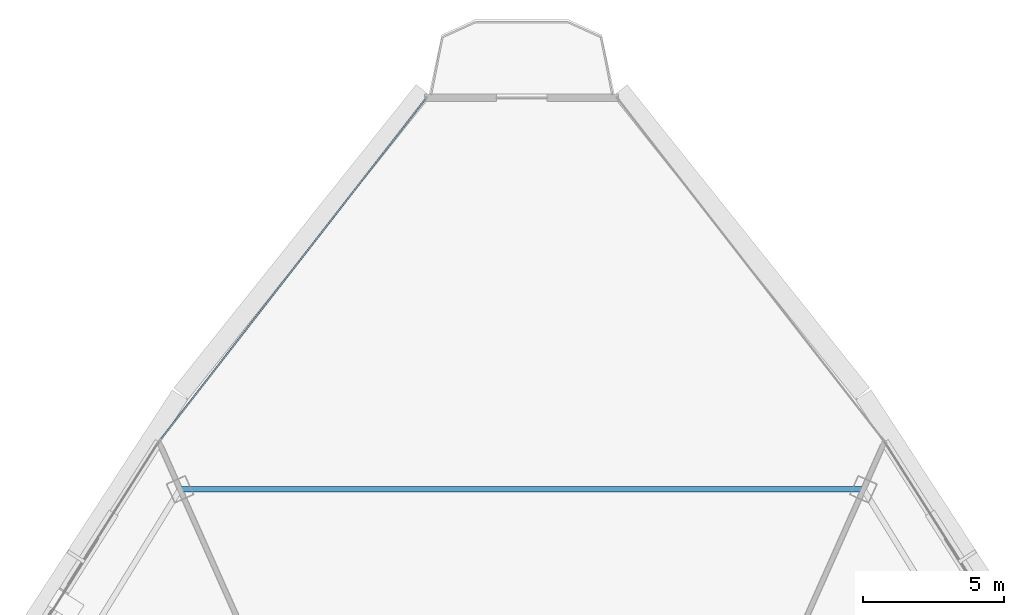
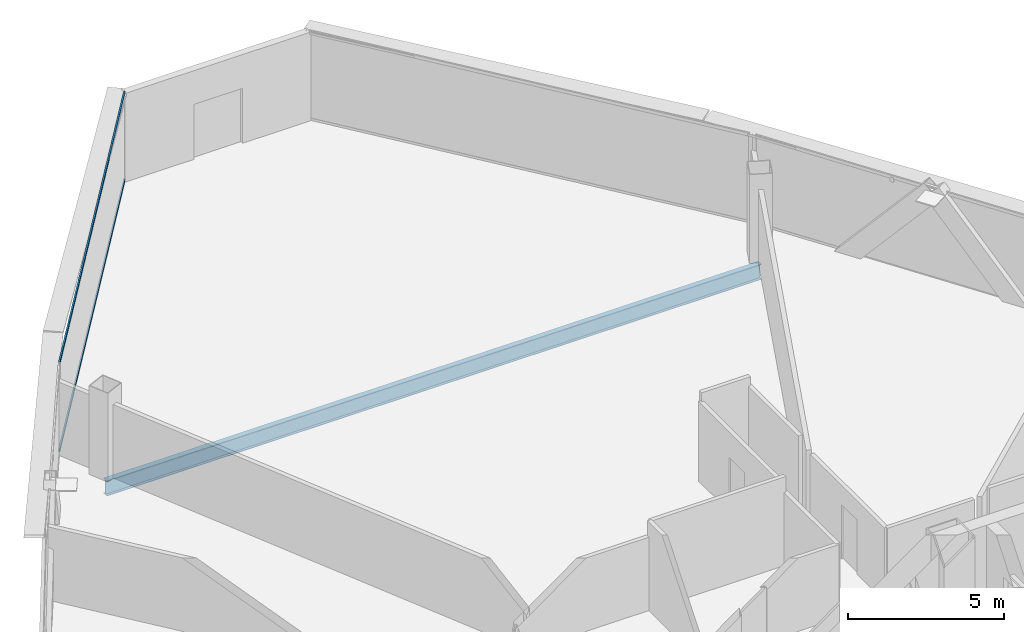
# One storey, part 21 of 33: 2 members, 1 beam, 1 element without a shape of its own.
"""IFC4 building model written with IfcOpenShell, lengths in metres."""

from ifc_helpers import new_model, si_unit, direction, frame, origin, origin_2d, place, context, subcontext, project, spatial, hollow_rectangle, i_section, extrude, source, transform, mapped, material, layer, layer_set, material_profile, profile_set, type_object, element, aggregate, save


model = new_model("IFC4")

# Units and contexts
model_context = context("Model", 3, precision=1e-05, world=origin(), true_north=direction((0.0, 1.0)))
body_context = subcontext(model_context, "Body", "Model", "MODEL_VIEW")
ifc_project = project(units=[si_unit("LENGTHUNIT", "METRE"), si_unit("AREAUNIT", "SQUARE_METRE"), si_unit("VOLUMEUNIT", "CUBIC_METRE"), si_unit("PLANEANGLEUNIT", "RADIAN"), si_unit("MASSUNIT", "GRAM", prefix="KILO"), si_unit("THERMODYNAMICTEMPERATUREUNIT", "KELVIN"), si_unit("POWERUNIT", "WATT")], contexts=[model_context])

# Site, building, storey
site_placement = place(None, origin())
site = spatial("IfcSite", under=ifc_project, at=site_placement, CompositionType="ELEMENT")
building_placement = place(site_placement, origin())
building = spatial("IfcBuilding", under=site, at=building_placement, Name="Yunzhuo Pagoda Commons", CompositionType="ELEMENT")
storey_placement = place(building_placement, frame((0.0, 0.0, 307.39990234375)))
storey = spatial("IfcBuildingStorey", under=building, at=storey_placement, Name="L77", CompositionType="ELEMENT", Elevation=307.39990234375)

# Beam
ifc_material_1 = material(Name="Structural steel Q355B", Category="steel")
ifc_material_profile_1 = material_profile(ifc_material_1, i_section(OverallWidth=0.199951171875, OverallDepth=0.60009765625, WebThickness=0.010986328125, FlangeThickness=0.01708984375, at=origin_2d()), Name="Structural steel Q355B")
ifc_profile_set_1 = profile_set([ifc_material_profile_1], Name="Structural steel Q355B")
beam_type = type_object("IfcBeamType", Name="B-RG3 Beam HN 600x200x11x17", PredefinedType="BEAM", material=ifc_profile_set_1)
shared_shape_1 = source(origin(), body_context, "Body", "SweptSolid", [
    extrude(i_section(OverallWidth=0.199951171875, OverallDepth=0.60009765625, WebThickness=0.010986328125, FlangeThickness=0.01708984375, at=origin_2d()), origin(), (0.0, 0.0, 1.0), 24.228515625),
])
beam_placement = place(storey_placement, frame((60.1142578125, 60.9091796875, -0.559814453125), z_axis=(-1.0, 0.0, 0.0), x_axis=(0.0, -1.0, 0.0)))
element("IfcBeam", 1, at=beam_placement, inside=storey, type_object=beam_type, Name="L77 column-ring beam 8", PredefinedType="BEAM", context=body_context, shape_type="MappedRepresentation", body=[
    mapped(shared_shape_1, transform((0.0, 0.0, 0.0), scale=1.0)),
])

# Curtain wall, members
ifc_material_2 = material(Name="Anodized aluminium 6063-T6", Category="aluminium")
ifc_layer = layer(ifc_material_2, 0.139892578125)
ifc_layer_set = layer_set([ifc_layer], Name="Anodized aluminium 6063-T6")
curtain_wall_type = type_object("IfcCurtainWallType", Name="CW-HI High-Zone Ribbon Curtain Wall", PredefinedType="NOTDEFINED", material=ifc_layer_set)
curtain_wall_placement = place(storey_placement, origin())
curtain_wall = element("IfcCurtainWall", 2, at=curtain_wall_placement, inside=storey, type_object=curtain_wall_type, Name="L77 curtain wall CW-L77-F3B1", PredefinedType="NOTDEFINED")
ifc_material_profile_2 = material_profile(ifc_material_2, hollow_rectangle(XDim=0.054931640625, YDim=0.1201171875, WallThickness=0.00341796875, at=origin_2d()), Name="Anodized aluminium 6063-T6")
ifc_profile_set_2 = profile_set([ifc_material_profile_2], Name="Anodized aluminium 6063-T6")
member_type = type_object("IfcMemberType", Name="CW-HI-T Transom RHS 120x55x3.5", PredefinedType="USERDEFINED", material=ifc_profile_set_2)
shared_shape_2 = source(origin(), body_context, "Body", "SweptSolid", [
    extrude(hollow_rectangle(XDim=0.054931640625, YDim=0.1201171875, WallThickness=0.00341796875, at=origin_2d()), origin(), (0.0, 0.0, 1.0), 15.25146484375),
])
member_1_placement = place(storey_placement, frame((44.580322265625, 74.74072265625, 0.027587890625), z_axis=(-0.613841977514, -0.789428924376, 0.0), x_axis=(0.789428924376, -0.613841977514, 0.0)))
member_1 = element("IfcMember", 3, at=member_1_placement, type_object=member_type, Name="CW transom 1.1", ObjectType="TRANSOM", PredefinedType="USERDEFINED", context=body_context, shape_type="MappedRepresentation", body=[
    mapped(shared_shape_2, transform((0.0, 0.0, 0.0), scale=1.0)),
])
member_2_placement = place(storey_placement, frame((44.580322265625, 74.74072265625, 3.442626953125), z_axis=(-0.613841977514, -0.789428924376, 0.0), x_axis=(0.789428924376, -0.613841977514, 0.0)))
member_2 = element("IfcMember", 4, at=member_2_placement, type_object=member_type, Name="CW transom 1.2", ObjectType="TRANSOM", PredefinedType="USERDEFINED", context=body_context, shape_type="MappedRepresentation", body=[
    mapped(shared_shape_2, transform((0.0, 0.0, 0.0), scale=1.0)),
])
aggregate(curtain_wall, [member_1, member_2])

save(model, "model.ifc")
